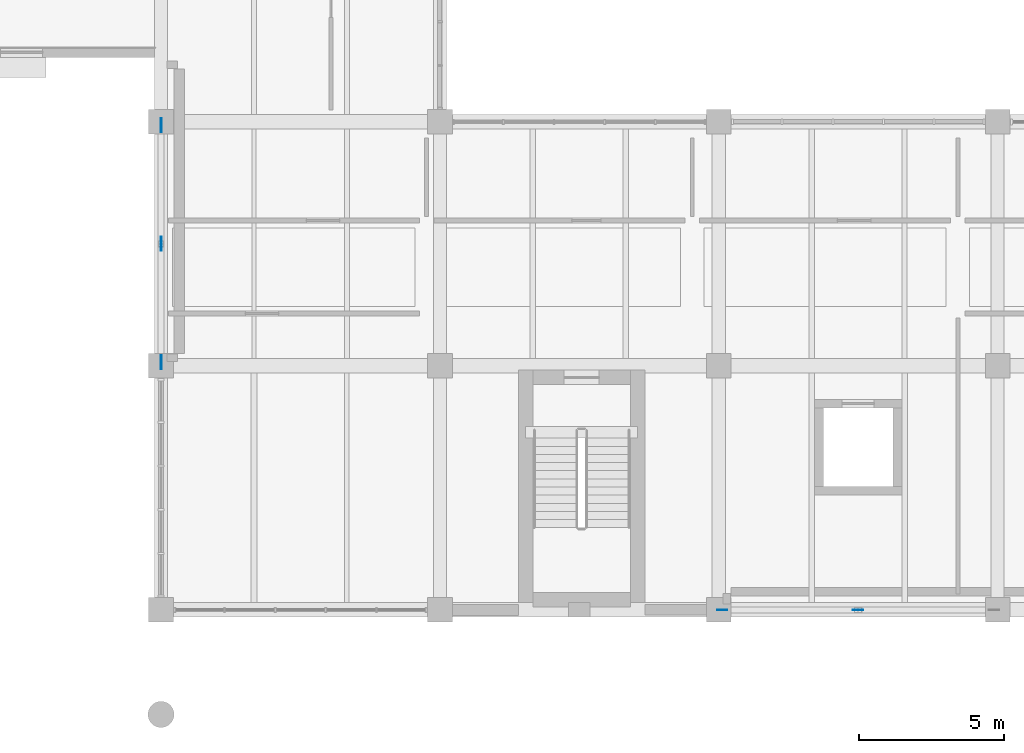
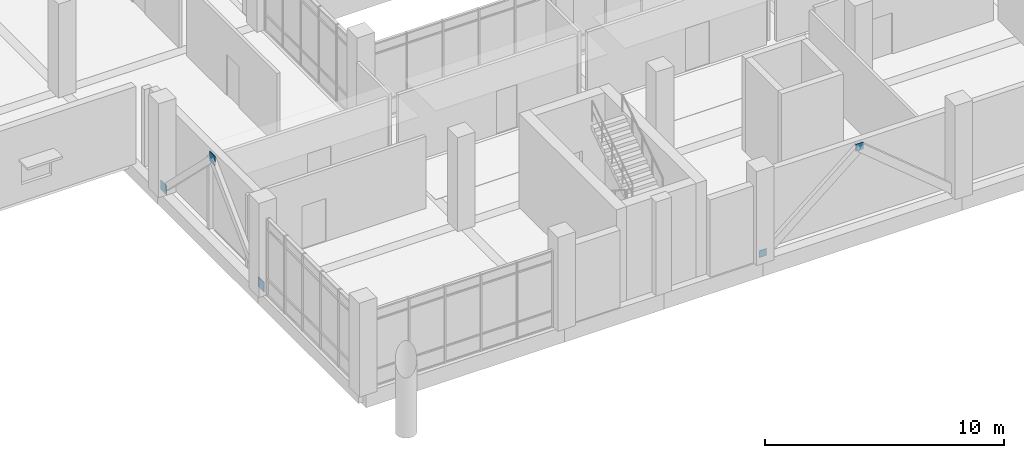
# One storey, part 114 of 152: 5 plates.
"""IFC4 building model written with IfcOpenShell, lengths in metres."""

from ifc_helpers import new_model, si_unit, direction, frame, origin, origin_2d, place, context, subcontext, project, spatial, rectangle, extrude, material, layer, layer_set, type_object, element, save


model = new_model("IFC4")

# Units and contexts
model_context = context("Model", 3, precision=1e-05, world=origin(), true_north=direction((0.0, 1.0)))
body_context = subcontext(model_context, "Body", "Model", "MODEL_VIEW")
ifc_project = project(units=[si_unit("LENGTHUNIT", "METRE"), si_unit("AREAUNIT", "SQUARE_METRE"), si_unit("VOLUMEUNIT", "CUBIC_METRE"), si_unit("PLANEANGLEUNIT", "RADIAN"), si_unit("MASSUNIT", "GRAM", prefix="KILO")], contexts=[model_context])

# Site, building, storey
site_placement = place(None, origin())
site = spatial("IfcSite", under=ifc_project, at=site_placement, CompositionType="ELEMENT")
building_placement = place(site_placement, origin())
building = spatial("IfcBuilding", under=site, at=building_placement, Name="Oolite Switchyard Hospital", CompositionType="ELEMENT")
storey_placement = place(building_placement, frame((0.0, 0.0, 5.10009765625)))
storey = spatial("IfcBuildingStorey", under=building, at=storey_placement, Name="L01", CompositionType="ELEMENT", Elevation=5.10009765625)

# Plates
ifc_material = material(Name="Steel ASTM A572 Grade 50", Category="steel")
ifc_layer_1 = layer(ifc_material, 0.02392578125)
ifc_layer_set_1 = layer_set([ifc_layer_1], Name="PLT-GUS-360")
plate_type_1 = type_object("IfcPlateType", Name="PLT-GUS-360", PredefinedType="SHEET", material=ifc_layer_set_1)
for number, where, z_axis, x_axis, name in (
    (1, (153.719970703125, 8.39990234375, 0.02001953125), (0.0, 0.0, 1.0), (1.0, 0.0, 0.0), "L01 Brace Base Gusset Plate 94"),
    (2, (158.39990234375, 8.39990234375, 3.81982421875), (0.0, 0.0, 1.0), (1.0, 0.0, 0.0), "L01 Gusset Connection Plate 96"),
):
    element("IfcPlate", number, at=place(storey_placement, frame(where, z_axis=z_axis, x_axis=x_axis)), inside=storey, type_object=plate_type_1, Name=name, PredefinedType="SHEET", context=body_context, shape_type="SweptSolid", body=[
        extrude(rectangle(XDim=0.360107421875, YDim=0.02392578125, at=origin_2d()), origin(), (0.0, 0.0, 1.0), 0.360107421875),
    ])
ifc_layer_2 = layer(ifc_material, 0.031982421875)
ifc_layer_set_2 = layer_set([ifc_layer_2], Name="PLT-GUS-480")
plate_type_2 = type_object("IfcPlateType", Name="PLT-GUS-480", PredefinedType="SHEET", material=ifc_layer_set_2)
for number, where, z_axis, x_axis, name in (
    (3, (134.39990234375, 16.919921875, -0.0400390625), (0.0, 0.0, 1.0), (0.0, 1.0, 0.0), "L01 Brace Base Gusset Plate 139"),
    (4, (134.39990234375, 25.080078125, -0.0400390625), (0.0, 0.0, 1.0), (0.0, 1.0, 0.0), "L01 Brace Base Gusset Plate 140"),
    (5, (134.39990234375, 21.0, 3.909912109375), (0.0, 0.0, 1.0), (0.0, 1.0, 0.0), "L01 Gusset Connection Plate 141"),
):
    element("IfcPlate", number, at=place(storey_placement, frame(where, z_axis=z_axis, x_axis=x_axis)), inside=storey, type_object=plate_type_2, Name=name, PredefinedType="SHEET", context=body_context, shape_type="SweptSolid", body=[
        extrude(rectangle(XDim=0.47998046875, YDim=0.031982421875, at=origin_2d()), origin(), (0.0, 0.0, 1.0), 0.47998046875),
    ])

save(model, "model.ifc")
